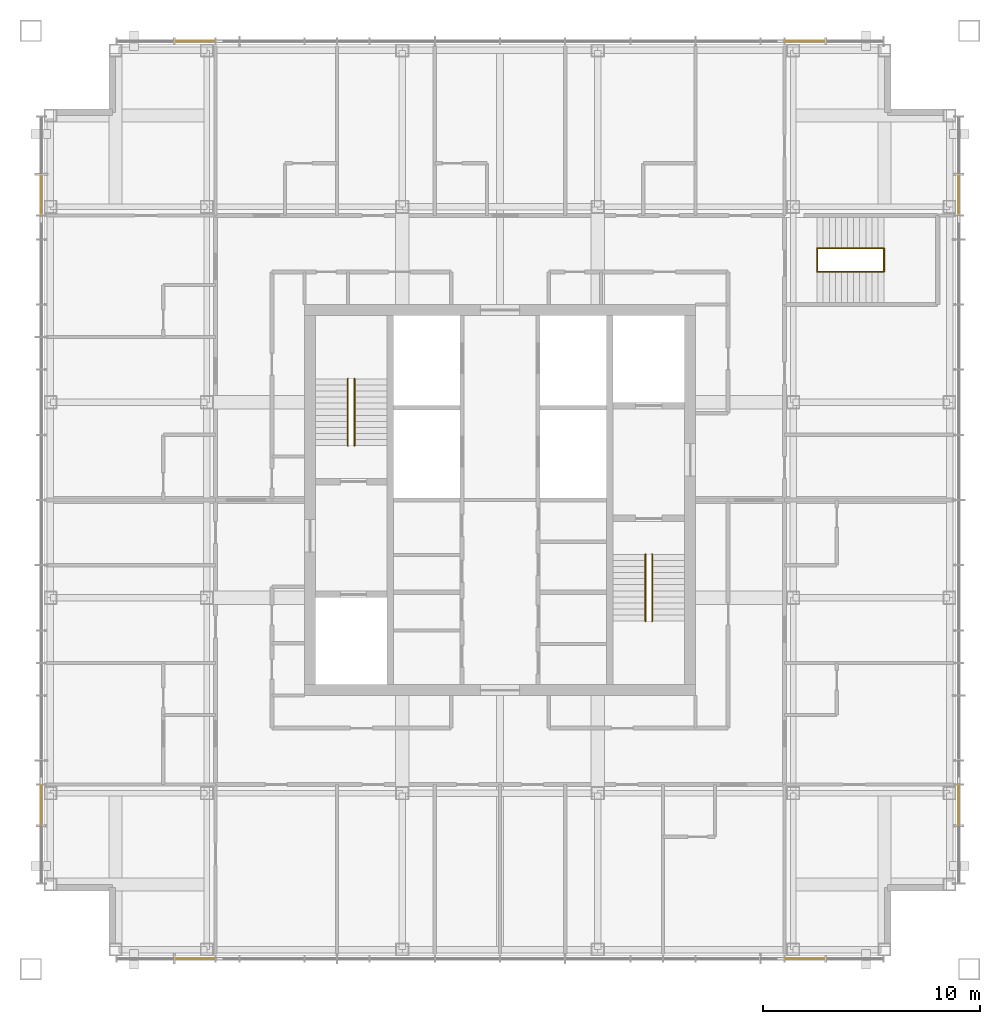
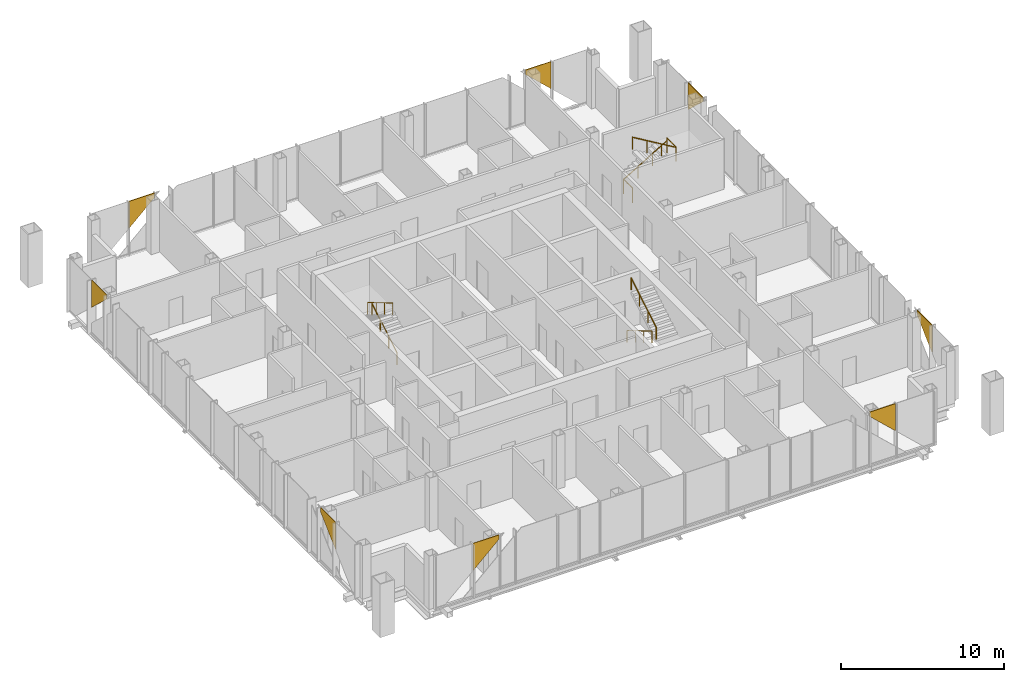
# One storey, part 12 of 16: 8 coverings, 8 railings.
"""IFC4 building model written with IfcOpenShell, lengths in metres."""

from ifc_helpers import new_model, si_unit, direction, frame, origin, origin_2d, place, context, subcontext, project, spatial, polyline, circle, outline, extrude, material, layer, layer_set, type_object, element, save


model = new_model("IFC4")

# Units and contexts
model_context = context("Model", 3, precision=1e-05, world=origin(), true_north=direction((0.0, 1.0)))
body_context = subcontext(model_context, "Body", "Model", "MODEL_VIEW")
ifc_project = project(units=[si_unit("LENGTHUNIT", "METRE"), si_unit("AREAUNIT", "SQUARE_METRE"), si_unit("VOLUMEUNIT", "CUBIC_METRE"), si_unit("PLANEANGLEUNIT", "RADIAN"), si_unit("MASSUNIT", "GRAM", prefix="KILO")], contexts=[model_context])

# Site, building, storey
site_placement = place(None, origin())
site = spatial("IfcSite", under=ifc_project, at=site_placement, CompositionType="ELEMENT")
building_placement = place(site_placement, origin())
building = spatial("IfcBuilding", under=site, at=building_placement, Name="Malebo Sky Hospital", CompositionType="ELEMENT")
storey_placement = place(building_placement, frame((0.0, 0.0, 254.0)))
storey = spatial("IfcBuildingStorey", under=building, at=storey_placement, Name="L61", CompositionType="ELEMENT", Elevation=254.0)

# Coverings
ifc_material_1 = material(Name="Anodised aluminium, natural silver insulated infill panel", Category="aluminium")
ifc_layer = layer(ifc_material_1, 0.0400390625)
ifc_layer_set = layer_set([ifc_layer], Name="BRACE INFILL PANEL 40")
covering_type = type_object("IfcCoveringType", Name="BRACE INFILL PANEL 40", PredefinedType="CLADDING", material=ifc_layer_set)
covering_1_placement = place(storey_placement, frame((45.949951171875, 83.125, 1.947998046875), z_axis=(0.0, 0.0, 1.0), x_axis=(1.0, 0.0, 0.0)))
element("IfcCovering", 1, at=covering_1_placement, inside=storey, type_object=covering_type, Name="Brace infill panel 2.1", PredefinedType="CLADDING", context=body_context, shape_type="SweptSolid", body=[
    extrude(outline(polyline([(-0.91259765625, 0.0), (0.91259765625, 1.708740234375), (0.91259765625, 2.0419921875), (-0.91259765625, 2.0419921875), (-0.91259765625, 0.0)])), frame((0.0, 0.02001953125, 0.0), z_axis=(0.0, -1.0, 0.0), x_axis=(1.0, 0.0, 0.0)), (0.0, 0.0, 1.0), 0.0400390625),
])
covering_2_placement = place(storey_placement, frame((74.050048828125, 83.125, 1.947998046875), z_axis=(0.0, 0.0, 1.0), x_axis=(1.0, 0.0, 0.0)))
element("IfcCovering", 2, at=covering_2_placement, inside=storey, type_object=covering_type, Name="Brace infill panel 14.1", PredefinedType="CLADDING", context=body_context, shape_type="SweptSolid", body=[
    extrude(outline(polyline([(0.91259765625, 0.0), (0.91259765625, 2.0419921875), (-0.91259765625, 2.0419921875), (-0.91259765625, 1.708740234375), (0.91259765625, 0.0)])), frame((0.0, 0.02001953125, 0.0), z_axis=(0.0, -1.0, 0.0), x_axis=(1.0, 0.0, 0.0)), (0.0, 0.0, 1.0), 0.0400390625),
])
covering_3_placement = place(storey_placement, frame((38.875, 47.949951171875, 1.947998046875), z_axis=(0.0, 0.0, 1.0), x_axis=(0.0, 1.0, 0.0)))
element("IfcCovering", 3, at=covering_3_placement, inside=storey, type_object=covering_type, Name="Brace infill panel 2.1", PredefinedType="CLADDING", context=body_context, shape_type="SweptSolid", body=[
    extrude(outline(polyline([(-0.91259765625, 0.0), (0.91259765625, 1.708740234375), (0.91259765625, 2.0419921875), (-0.91259765625, 2.0419921875), (-0.91259765625, 0.0)])), frame((0.0, 0.02001953125, 0.0), z_axis=(0.0, -1.0, 0.0), x_axis=(1.0, 0.0, 0.0)), (0.0, 0.0, 1.0), 0.0400390625),
])
covering_4_placement = place(storey_placement, frame((38.875, 76.050048828125, 1.947998046875), z_axis=(0.0, 0.0, 1.0), x_axis=(0.0, 1.0, 0.0)))
element("IfcCovering", 4, at=covering_4_placement, inside=storey, type_object=covering_type, Name="Brace infill panel 15.1", PredefinedType="CLADDING", context=body_context, shape_type="SweptSolid", body=[
    extrude(outline(polyline([(0.91259765625, 0.0), (0.91259765625, 2.0419921875), (-0.91259765625, 2.0419921875), (-0.91259765625, 1.708740234375), (0.91259765625, 0.0)])), frame((0.0, 0.02001953125, 0.0), z_axis=(0.0, -1.0, 0.0), x_axis=(1.0, 0.0, 0.0)), (0.0, 0.0, 1.0), 0.0400390625),
])
covering_5_placement = place(storey_placement, frame((74.050048828125, 40.875, 1.947998046875), z_axis=(0.0, 0.0, 1.0), x_axis=(-1.0, 0.0, 0.0)))
element("IfcCovering", 5, at=covering_5_placement, inside=storey, type_object=covering_type, Name="Brace infill panel 2.1", PredefinedType="CLADDING", context=body_context, shape_type="SweptSolid", body=[
    extrude(outline(polyline([(-0.91259765625, 0.0), (0.91259765625, 1.708740234375), (0.91259765625, 2.0419921875), (-0.91259765625, 2.0419921875), (-0.91259765625, 0.0)])), frame((0.0, 0.02001953125, 0.0), z_axis=(0.0, -1.0, 0.0), x_axis=(1.0, 0.0, 0.0)), (0.0, 0.0, 1.0), 0.0400390625),
])
covering_6_placement = place(storey_placement, frame((45.949951171875, 40.875, 1.947998046875), z_axis=(0.0, 0.0, 1.0), x_axis=(-1.0, 0.0, 0.0)))
element("IfcCovering", 6, at=covering_6_placement, inside=storey, type_object=covering_type, Name="Brace infill panel 15.1", PredefinedType="CLADDING", context=body_context, shape_type="SweptSolid", body=[
    extrude(outline(polyline([(0.91259765625, 0.0), (0.91259765625, 2.0419921875), (-0.91259765625, 2.0419921875), (-0.91259765625, 1.708740234375), (0.91259765625, 0.0)])), frame((0.0, 0.02001953125, 0.0), z_axis=(0.0, -1.0, 0.0), x_axis=(1.0, 0.0, 0.0)), (0.0, 0.0, 1.0), 0.0400390625),
])
covering_7_placement = place(storey_placement, frame((81.125, 76.050048828125, 1.947998046875), z_axis=(0.0, 0.0, 1.0), x_axis=(0.0, -1.0, 0.0)))
element("IfcCovering", 7, at=covering_7_placement, inside=storey, type_object=covering_type, Name="Brace infill panel 2.1", PredefinedType="CLADDING", context=body_context, shape_type="SweptSolid", body=[
    extrude(outline(polyline([(-0.91259765625, 0.0), (0.91259765625, 1.708740234375), (0.91259765625, 2.0419921875), (-0.91259765625, 2.0419921875), (-0.91259765625, 0.0)])), frame((0.0, 0.02001953125, 0.0), z_axis=(0.0, -1.0, 0.0), x_axis=(1.0, 0.0, 0.0)), (0.0, 0.0, 1.0), 0.0400390625),
])
covering_8_placement = place(storey_placement, frame((81.125, 47.949951171875, 1.947998046875), z_axis=(0.0, 0.0, 1.0), x_axis=(0.0, -1.0, 0.0)))
element("IfcCovering", 8, at=covering_8_placement, inside=storey, type_object=covering_type, Name="Brace infill panel 14.1", PredefinedType="CLADDING", context=body_context, shape_type="SweptSolid", body=[
    extrude(outline(polyline([(0.91259765625, 0.0), (0.91259765625, 2.0419921875), (-0.91259765625, 2.0419921875), (-0.91259765625, 1.708740234375), (0.91259765625, 0.0)])), frame((0.0, 0.02001953125, 0.0), z_axis=(0.0, -1.0, 0.0), x_axis=(1.0, 0.0, 0.0)), (0.0, 0.0, 1.0), 0.0400390625),
])

# Railings
ifc_material_2 = material(Name="Stainless steel balustrade", Category="steel")
railing_type_1 = type_object("IfcRailingType", Name="STAIR GUARD 1100", PredefinedType="GUARDRAIL", material=ifc_material_2)
for number, where, name in (
    (9, (74.60009765625, 72.5, 0.0), "Stair guard S3 floor landing"),
    (10, (77.679931640625, 72.5, 2.0), "Stair guard S3 mid landing"),
):
    element("IfcRailing", number, at=place(storey_placement, frame(where)), inside=storey, type_object=railing_type_1, Name=name, PredefinedType="GUARDRAIL", context=body_context, shape_type="SweptSolid", body=[
        extrude(circle(Radius=0.02392578125, at=origin_2d()), frame((0.0, 0.0, 1.076171875), z_axis=(0.0, 1.0, 0.0), x_axis=(-1.0, 0.0, 0.0)), (0.0, 0.0, 1.0), 1.10009765625),
        extrude(circle(Radius=0.02099609375, at=origin_2d()), origin(), (0.0, 0.0, 1.0), 1.052001953125),
        extrude(circle(Radius=0.02099609375, at=origin_2d()), frame((0.0, 1.10009765625, 0.0)), (0.0, 0.0, 1.0), 1.052001953125),
    ])
ifc_material_3 = material(Name="Stainless steel tube", Category="steel")
railing_type_2 = type_object("IfcRailingType", Name="STAIR HANDRAIL 900", PredefinedType="HANDRAIL", material=ifc_material_3)
railing_1_placement = place(storey_placement, frame((53.300048828125, 64.5, 0.166748046875)))
element("IfcRailing", 11, at=railing_1_placement, inside=storey, type_object=railing_type_2, Name="Stair handrail S1 flight 1", PredefinedType="HANDRAIL", context=body_context, shape_type="SweptSolid", body=[
    extrude(circle(Radius=0.02392578125, at=origin_2d()), frame((0.0, 0.0, 0.8759765625), z_axis=(0.0, 0.859308565015, 0.511457515432), x_axis=(-1.0, 0.0, 0.0)), (0.0, 0.0, 1.0), 3.58447265625),
    extrude(circle(Radius=0.02099609375, at=origin_2d()), origin(), (0.0, 0.0, 1.0), 0.851806640625),
    extrude(circle(Radius=0.02099609375, at=origin_2d()), frame((0.0, 1.026611328125, 0.611083984375)), (0.0, 0.0, 1.0), 0.851806640625),
    extrude(circle(Radius=0.02099609375, at=origin_2d()), frame((0.0, 2.053466796875, 1.22216796875)), (0.0, 0.0, 1.0), 0.851806640625),
    extrude(circle(Radius=0.02099609375, at=origin_2d()), frame((0.0, 3.080078125, 1.833251953125)), (0.0, 0.0, 1.0), 0.851806640625),
])
for number, where, name in (
    (12, (53.0, 67.580078125, 2.166748046875), "Stair handrail S1 flight 2"),
    (13, (66.699951171875, 59.5, 0.166748046875), "Stair handrail S2 flight 1"),
):
    element("IfcRailing", number, at=place(storey_placement, frame(where)), inside=storey, type_object=railing_type_2, Name=name, PredefinedType="HANDRAIL", context=body_context, shape_type="SweptSolid", body=[
        extrude(circle(Radius=0.02392578125, at=origin_2d()), frame((0.0, 0.0, 0.8759765625), z_axis=(0.0, -0.859308565015, 0.511457515432), x_axis=(1.0, 0.0, 0.0)), (0.0, 0.0, 1.0), 3.58447265625),
        extrude(circle(Radius=0.02099609375, at=origin_2d()), origin(), (0.0, 0.0, 1.0), 0.851806640625),
        extrude(circle(Radius=0.02099609375, at=origin_2d()), frame((0.0, -1.026611328125, 0.611083984375)), (0.0, 0.0, 1.0), 0.851806640625),
        extrude(circle(Radius=0.02099609375, at=origin_2d()), frame((0.0, -2.053466796875, 1.22216796875)), (0.0, 0.0, 1.0), 0.851806640625),
        extrude(circle(Radius=0.02099609375, at=origin_2d()), frame((0.0, -3.080078125, 1.833251953125)), (0.0, 0.0, 1.0), 0.851806640625),
    ])
railing_2_placement = place(storey_placement, frame((67.0, 56.419921875, 2.166748046875)))
element("IfcRailing", 14, at=railing_2_placement, inside=storey, type_object=railing_type_2, Name="Stair handrail S2 flight 2", PredefinedType="HANDRAIL", context=body_context, shape_type="SweptSolid", body=[
    extrude(circle(Radius=0.02392578125, at=origin_2d()), frame((0.0, 0.0, 0.8759765625), z_axis=(0.0, 0.859308565015, 0.511457515432), x_axis=(-1.0, 0.0, 0.0)), (0.0, 0.0, 1.0), 3.58447265625),
    extrude(circle(Radius=0.02099609375, at=origin_2d()), origin(), (0.0, 0.0, 1.0), 0.851806640625),
    extrude(circle(Radius=0.02099609375, at=origin_2d()), frame((0.0, 1.026611328125, 0.611083984375)), (0.0, 0.0, 1.0), 0.851806640625),
    extrude(circle(Radius=0.02099609375, at=origin_2d()), frame((0.0, 2.053466796875, 1.22216796875)), (0.0, 0.0, 1.0), 0.851806640625),
    extrude(circle(Radius=0.02099609375, at=origin_2d()), frame((0.0, 3.080078125, 1.833251953125)), (0.0, 0.0, 1.0), 0.851806640625),
])
railing_3_placement = place(storey_placement, frame((74.60009765625, 73.60009765625, 0.166748046875)))
element("IfcRailing", 15, at=railing_3_placement, inside=storey, type_object=railing_type_2, Name="Stair handrail S3 flight 1", PredefinedType="HANDRAIL", context=body_context, shape_type="SweptSolid", body=[
    extrude(circle(Radius=0.02392578125, at=origin_2d()), frame((0.0, 0.0, 0.8759765625), z_axis=(0.859290745958, 0.0, 0.51148745235), x_axis=(0.0, 1.0, 0.0)), (0.0, 0.0, 1.0), 3.584228515625),
    extrude(circle(Radius=0.02099609375, at=origin_2d()), origin(), (0.0, 0.0, 1.0), 0.851806640625),
    extrude(circle(Radius=0.02099609375, at=origin_2d()), frame((1.026611328125, 0.0, 0.611083984375)), (0.0, 0.0, 1.0), 0.851806640625),
    extrude(circle(Radius=0.02099609375, at=origin_2d()), frame((2.05322265625, 0.0, 1.22216796875)), (0.0, 0.0, 1.0), 0.851806640625),
    extrude(circle(Radius=0.02099609375, at=origin_2d()), frame((3.079833984375, 0.0, 1.833251953125)), (0.0, 0.0, 1.0), 0.851806640625),
])
railing_4_placement = place(storey_placement, frame((77.679931640625, 72.5, 2.166748046875)))
element("IfcRailing", 16, at=railing_4_placement, inside=storey, type_object=railing_type_2, Name="Stair handrail S3 flight 2", PredefinedType="HANDRAIL", context=body_context, shape_type="SweptSolid", body=[
    extrude(circle(Radius=0.02392578125, at=origin_2d()), frame((0.0, 0.0, 0.8759765625), z_axis=(-0.859290745958, 0.0, 0.51148745235), x_axis=(0.0, -1.0, 0.0)), (0.0, 0.0, 1.0), 3.584228515625),
    extrude(circle(Radius=0.02099609375, at=origin_2d()), origin(), (0.0, 0.0, 1.0), 0.851806640625),
    extrude(circle(Radius=0.02099609375, at=origin_2d()), frame((-1.026611328125, 0.0, 0.611083984375)), (0.0, 0.0, 1.0), 0.851806640625),
    extrude(circle(Radius=0.02099609375, at=origin_2d()), frame((-2.05322265625, 0.0, 1.22216796875)), (0.0, 0.0, 1.0), 0.851806640625),
    extrude(circle(Radius=0.02099609375, at=origin_2d()), frame((-3.079833984375, 0.0, 1.833251953125)), (0.0, 0.0, 1.0), 0.851806640625),
])

save(model, "model.ifc")
